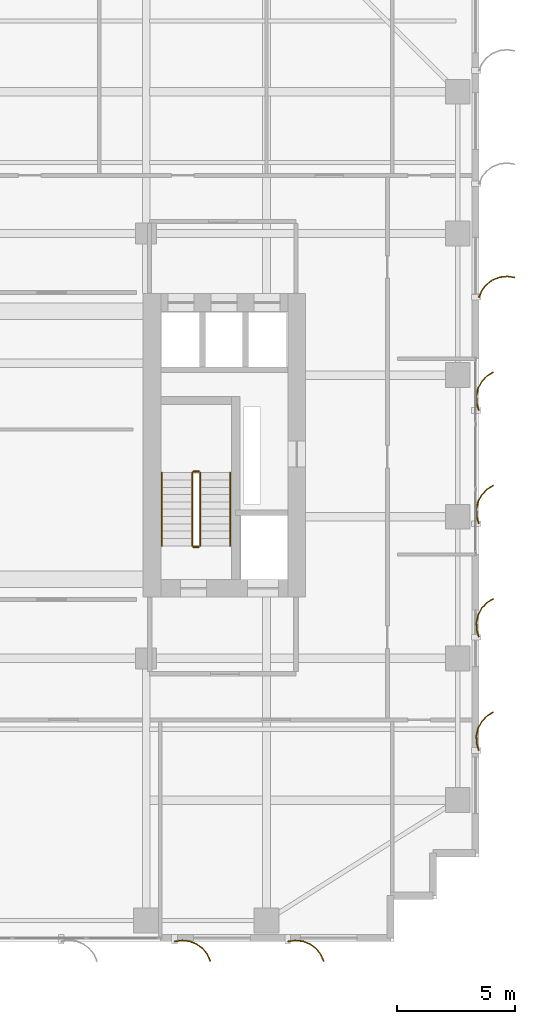
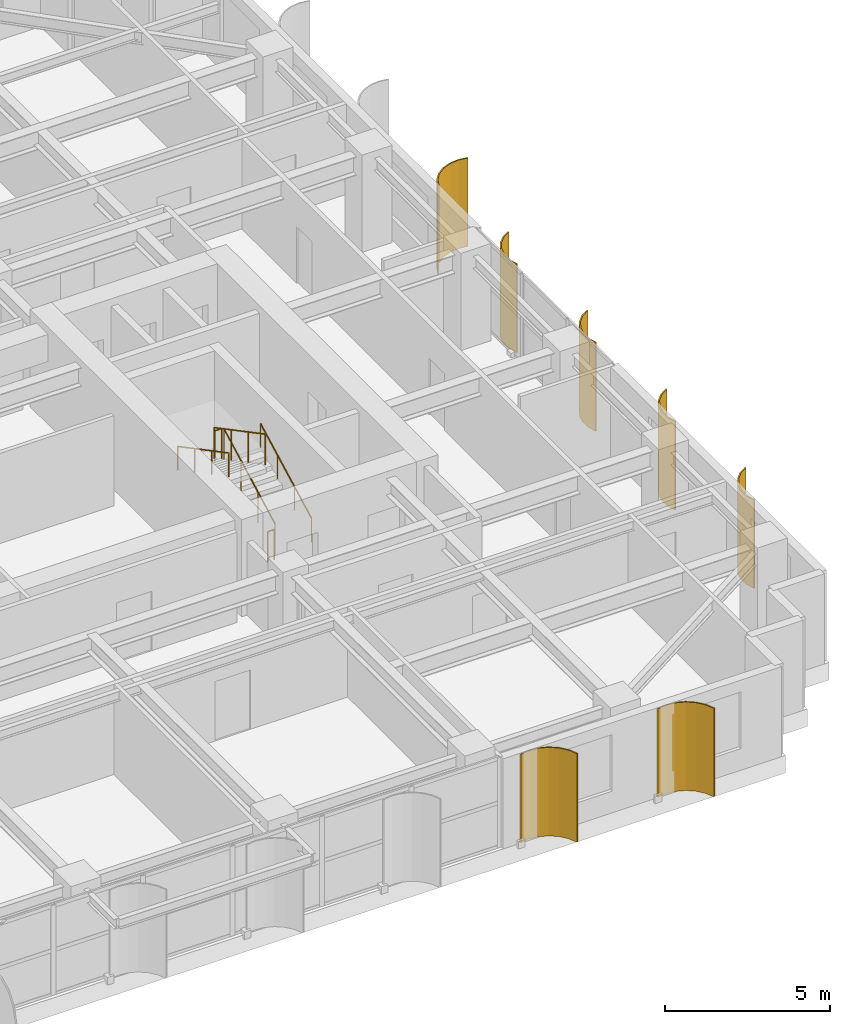
# One storey, part 22 of 23: 7 shading devices, 6 railings.
"""IFC4 building model written with IfcOpenShell, lengths in metres."""

from ifc_helpers import new_model, si_unit, direction, frame, origin, origin_2d, place, context, subcontext, project, spatial, polyline, circle, outline, extrude, source, transform, mapped, material, layer, layer_set, type_object, element, save


model = new_model("IFC4")

# Units and contexts
model_context = context("Model", 3, precision=1e-05, world=origin(), true_north=direction((0.0, 1.0)))
body_context = subcontext(model_context, "Body", "Model", "MODEL_VIEW")
ifc_project = project(units=[si_unit("LENGTHUNIT", "METRE"), si_unit("AREAUNIT", "SQUARE_METRE"), si_unit("VOLUMEUNIT", "CUBIC_METRE"), si_unit("PLANEANGLEUNIT", "RADIAN"), si_unit("MASSUNIT", "GRAM", prefix="KILO")], contexts=[model_context])

# Site, building, storey
site_placement = place(None, origin())
site = spatial("IfcSite", under=ifc_project, at=site_placement, CompositionType="ELEMENT")
building_placement = place(site_placement, origin())
building = spatial("IfcBuilding", under=site, at=building_placement, Name="Khoralis Quay Care Tower", CompositionType="ELEMENT")
storey_placement = place(building_placement, frame((0.0, 0.0, 83.699951171875)))
storey = spatial("IfcBuildingStorey", under=building, at=storey_placement, Name="L21", CompositionType="ELEMENT", Elevation=83.699951171875)

# Railings
ifc_material_1 = material(Name="Brushed stainless steel", Category="steel")
railing_type_1 = type_object("IfcRailingType", Name="RL-GUARD-1150", PredefinedType="GUARDRAIL", material=ifc_material_1)
railing_1_placement = place(storey_placement, frame((33.18994140625, 16.77001953125, 0.16357421875)))
element("IfcRailing", 1, at=railing_1_placement, inside=storey, type_object=railing_type_1, Name="L21 ST-T2 stair guard 1", PredefinedType="GUARDRAIL", context=body_context, shape_type="SweptSolid", body=[
    extrude(circle(Radius=0.02392578125, at=origin_2d()), frame((0.0, 0.0, 1.1259765625), z_axis=(0.0, 0.884348015382, 0.466828220752), x_axis=(-1.0, 0.0, 0.0)), (0.0, 0.0, 1.0), 3.505615234375),
    extrude(circle(Radius=0.02099609375, at=origin_2d()), origin(), (0.0, 0.0, 1.0), 1.101806640625),
    extrude(circle(Radius=0.02099609375, at=origin_2d()), frame((0.0, 1.033447265625, 0.54541015625)), (0.0, 0.0, 1.0), 1.101806640625),
    extrude(circle(Radius=0.02099609375, at=origin_2d()), frame((0.0, 2.066650390625, 1.091064453125)), (0.0, 0.0, 1.0), 1.101806640625),
    extrude(circle(Radius=0.02099609375, at=origin_2d()), frame((0.0, 3.10009765625, 1.636474609375)), (0.0, 0.0, 1.0), 1.101806640625),
])
railing_2_placement = place(storey_placement, frame((33.139892578125, 19.919921875, 1.800048828125)))
element("IfcRailing", 2, at=railing_2_placement, inside=storey, type_object=railing_type_1, Name="L21 ST-T2 stair guard 2", PredefinedType="GUARDRAIL", context=body_context, shape_type="SweptSolid", body=[
    extrude(circle(Radius=0.02392578125, at=origin_2d()), frame((0.0, 0.0, 1.1259765625), z_axis=(-1.0, 0.0, 0.0), x_axis=(0.0, -1.0, 0.0)), (0.0, 0.0, 1.0), 0.239990234375),
    extrude(circle(Radius=0.02099609375, at=origin_2d()), origin(), (0.0, 0.0, 1.0), 1.101806640625),
    extrude(circle(Radius=0.02099609375, at=origin_2d()), frame((-0.239990234375, 0.0, 0.0)), (0.0, 0.0, 1.0), 1.101806640625),
])
railing_3_placement = place(storey_placement, frame((32.85009765625, 19.8701171875, 1.963623046875)))
element("IfcRailing", 3, at=railing_3_placement, inside=storey, type_object=railing_type_1, Name="L21 ST-T2 stair guard 3", PredefinedType="GUARDRAIL", context=body_context, shape_type="SweptSolid", body=[
    extrude(circle(Radius=0.02392578125, at=origin_2d()), frame((0.0, 0.0, 1.1259765625), z_axis=(0.0, -0.884348015382, 0.466828220752), x_axis=(1.0, 0.0, 0.0)), (0.0, 0.0, 1.0), 3.505615234375),
    extrude(circle(Radius=0.02099609375, at=origin_2d()), origin(), (0.0, 0.0, 1.0), 1.101806640625),
    extrude(circle(Radius=0.02099609375, at=origin_2d()), frame((0.0, -1.033447265625, 0.54541015625)), (0.0, 0.0, 1.0), 1.101806640625),
    extrude(circle(Radius=0.02099609375, at=origin_2d()), frame((0.0, -2.066650390625, 1.091064453125)), (0.0, 0.0, 1.0), 1.101806640625),
    extrude(circle(Radius=0.02099609375, at=origin_2d()), frame((0.0, -3.10009765625, 1.636474609375)), (0.0, 0.0, 1.0), 1.101806640625),
])
railing_4_placement = place(storey_placement, frame((33.139892578125, 16.719970703125, 0.0)))
element("IfcRailing", 4, at=railing_4_placement, inside=storey, type_object=railing_type_1, Name="L21 ST-T2 stair guard 4", PredefinedType="GUARDRAIL", context=body_context, shape_type="SweptSolid", body=[
    extrude(circle(Radius=0.02392578125, at=origin_2d()), frame((0.0, 0.0, 1.1259765625), z_axis=(-1.0, 0.0, 0.0), x_axis=(0.0, -1.0, 0.0)), (0.0, 0.0, 1.0), 0.239990234375),
    extrude(circle(Radius=0.02099609375, at=origin_2d()), origin(), (0.0, 0.0, 1.0), 1.101806640625),
    extrude(circle(Radius=0.02099609375, at=origin_2d()), frame((-0.239990234375, 0.0, 0.0)), (0.0, 0.0, 1.0), 1.101806640625),
])
railing_type_2 = type_object("IfcRailingType", Name="RL-HAND-900", PredefinedType="HANDRAIL", material=ifc_material_1)
railing_5_placement = place(storey_placement, frame((34.469970703125, 16.77001953125, 0.16357421875)))
element("IfcRailing", 5, at=railing_5_placement, inside=storey, type_object=railing_type_2, Name="L21 ST-T2 stair handrail 1", PredefinedType="HANDRAIL", context=body_context, shape_type="SweptSolid", body=[
    extrude(circle(Radius=0.02392578125, at=origin_2d()), frame((0.0, 0.0, 0.8759765625), z_axis=(0.0, 0.884348015382, 0.466828220752), x_axis=(-1.0, 0.0, 0.0)), (0.0, 0.0, 1.0), 3.505615234375),
    extrude(circle(Radius=0.02099609375, at=origin_2d()), origin(), (0.0, 0.0, 1.0), 0.851806640625),
    extrude(circle(Radius=0.02099609375, at=origin_2d()), frame((0.0, 1.033447265625, 0.54541015625)), (0.0, 0.0, 1.0), 0.851806640625),
    extrude(circle(Radius=0.02099609375, at=origin_2d()), frame((0.0, 2.066650390625, 1.091064453125)), (0.0, 0.0, 1.0), 0.851806640625),
    extrude(circle(Radius=0.02099609375, at=origin_2d()), frame((0.0, 3.10009765625, 1.636474609375)), (0.0, 0.0, 1.0), 0.851806640625),
])
railing_6_placement = place(storey_placement, frame((31.570068359375, 19.8701171875, 1.963623046875)))
element("IfcRailing", 6, at=railing_6_placement, inside=storey, type_object=railing_type_2, Name="L21 ST-T2 stair handrail 2", PredefinedType="HANDRAIL", context=body_context, shape_type="SweptSolid", body=[
    extrude(circle(Radius=0.02392578125, at=origin_2d()), frame((0.0, 0.0, 0.8759765625), z_axis=(0.0, -0.884348015382, 0.466828220752), x_axis=(1.0, 0.0, 0.0)), (0.0, 0.0, 1.0), 3.505615234375),
    extrude(circle(Radius=0.02099609375, at=origin_2d()), origin(), (0.0, 0.0, 1.0), 0.851806640625),
    extrude(circle(Radius=0.02099609375, at=origin_2d()), frame((0.0, -1.033447265625, 0.54541015625)), (0.0, 0.0, 1.0), 0.851806640625),
    extrude(circle(Radius=0.02099609375, at=origin_2d()), frame((0.0, -2.066650390625, 1.091064453125)), (0.0, 0.0, 1.0), 0.851806640625),
    extrude(circle(Radius=0.02099609375, at=origin_2d()), frame((0.0, -3.10009765625, 1.636474609375)), (0.0, 0.0, 1.0), 0.851806640625),
])

# Shading devices
ifc_material_2 = material(Name="Brushed pale anodised aluminium", Category="aluminium")
ifc_layer = layer(ifc_material_2, 0.044921875)
ifc_layer_set = layer_set([ifc_layer], Name="Brushed pale anodised aluminium")
shading_device_type = type_object("IfcShadingDeviceType", Name="SHD-FIN-1250", PredefinedType="USERDEFINED", material=ifc_layer_set)
shared_shape_1 = source(origin(), body_context, "Body", "SweptSolid", [
    extrude(outline(polyline([(0.0, 0.0), (-0.04833984375, 0.32275390625), (-0.01123046875, 0.64697265625), (0.1083984375, 0.950439453125), (0.302490234375, 1.212890625), (0.557861328125, 1.416015625), (0.85693359375, 1.546142578125), (0.869384765625, 1.5029296875), (0.5810546875, 1.37744140625), (0.334716796875, 1.181640625), (0.147705078125, 0.9287109375), (0.032470703125, 0.635986328125), (-0.003173828125, 0.323486328125), (0.043212890625, 0.012451171875), (0.0, 0.0)])), origin(), (0.0, 0.0, 1.0), 3.280029296875),
])
for number, where, z_axis, x_axis, name in (
    (7, (32.10009765625, 0.030029296875, 0.02001953125), (0.0, 0.0, 1.0), (0.0, -1.0, 0.0), "L21 Curved Solar Fin P1E0-06"),
    (8, (36.89990234375, 0.030029296875, 0.02001953125), (0.0, 0.0, 1.0), (0.0, -1.0, 0.0), "L21 Curved Solar Fin P1E0-07"),
):
    element("IfcShadingDevice", number, at=place(storey_placement, frame(where, z_axis=z_axis, x_axis=x_axis)), inside=storey, type_object=shading_device_type, Name=name, ObjectType="FIN", PredefinedType="USERDEFINED", context=body_context, shape_type="MappedRepresentation", body=[
        mapped(shared_shape_1, transform((0.0, 0.0, 0.0), scale=1.0)),
    ])
shared_shape_2 = source(origin(), body_context, "Body", "SweptSolid", [
    extrude(outline(polyline([(0.0, 0.0), (-0.0927734375, 0.31298828125), (-0.101318359375, 0.63916015625), (-0.025146484375, 0.956298828125), (0.130615234375, 1.2431640625), (0.355224609375, 1.479736328125), (0.633544921875, 1.650390625), (0.65185546875, 1.609130859375), (0.383544921875, 1.44482421875), (0.1669921875, 1.216796875), (0.01708984375, 0.940185546875), (-0.056396484375, 0.63427734375), (-0.04833984375, 0.31982421875), (0.041015625, 0.018310546875), (0.0, 0.0)])), origin(), (0.0, 0.0, 1.0), 3.280029296875),
])
for number, where, z_axis, x_axis, name in (
    (9, (44.969970703125, 8.10009765625, 0.02001953125), (0.0, 0.0, 1.0), (1.0, 0.0, 0.0), "L21 Curved Solar Fin P1E5-01"),
    (10, (44.969970703125, 12.89990234375, 0.02001953125), (0.0, 0.0, 1.0), (1.0, 0.0, 0.0), "L21 Curved Solar Fin P1E5-02"),
    (11, (44.969970703125, 17.699951171875, 0.02001953125), (0.0, 0.0, 1.0), (1.0, 0.0, 0.0), "L21 Curved Solar Fin P1E5-03"),
    (12, (44.969970703125, 22.5, 0.02001953125), (0.0, 0.0, 1.0), (1.0, 0.0, 0.0), "L21 Curved Solar Fin P1E5-04"),
):
    element("IfcShadingDevice", number, at=place(storey_placement, frame(where, z_axis=z_axis, x_axis=x_axis)), inside=storey, type_object=shading_device_type, Name=name, ObjectType="FIN", PredefinedType="USERDEFINED", context=body_context, shape_type="MappedRepresentation", body=[
        mapped(shared_shape_2, transform((0.0, 0.0, 0.0), scale=1.0)),
    ])
shared_shape_3 = source(origin(), body_context, "Body", "SweptSolid", [
    extrude(outline(polyline([(0.0, 0.0), (0.130126953125, 0.29931640625), (0.333251953125, 0.5546875), (0.595458984375, 0.748779296875), (0.899169921875, 0.868408203125), (1.223388671875, 0.9052734375), (1.546142578125, 0.85693359375), (1.53369140625, 0.813720703125), (1.22265625, 0.8603515625), (0.91015625, 0.82470703125), (0.617431640625, 0.70947265625), (0.364501953125, 0.522216796875), (0.168701171875, 0.276123046875), (0.043212890625, -0.012451171875), (0.0, 0.0)])), origin(), (0.0, 0.0, 1.0), 3.280029296875),
])
shading_device_placement = place(storey_placement, frame((44.969970703125, 27.300048828125, 0.02001953125), z_axis=(0.0, 0.0, 1.0), x_axis=(1.0, 0.0, 0.0)))
element("IfcShadingDevice", 13, at=shading_device_placement, inside=storey, type_object=shading_device_type, Name="L21 Curved Solar Fin P1E5-05", ObjectType="FIN", PredefinedType="USERDEFINED", context=body_context, shape_type="MappedRepresentation", body=[
    mapped(shared_shape_3, transform((0.0, 0.0, 0.0), scale=1.0)),
])

save(model, "model.ifc")
